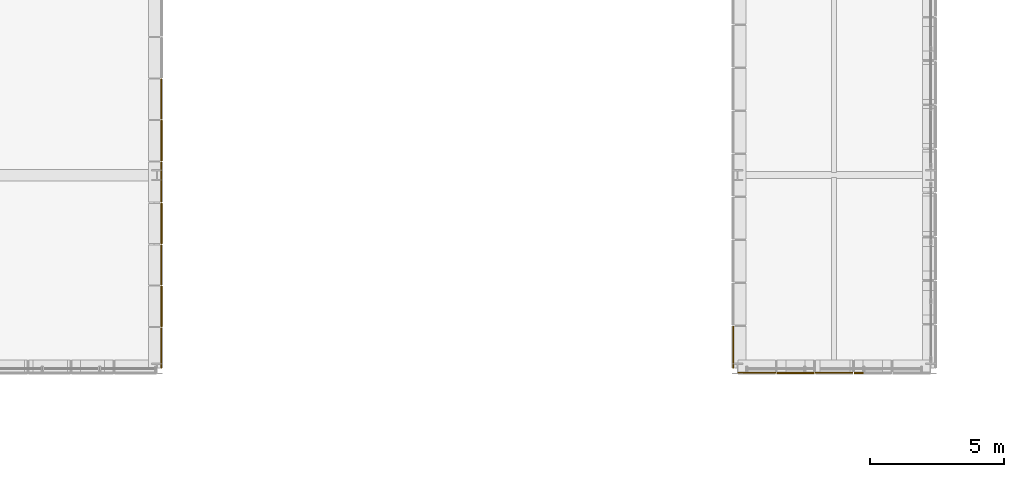
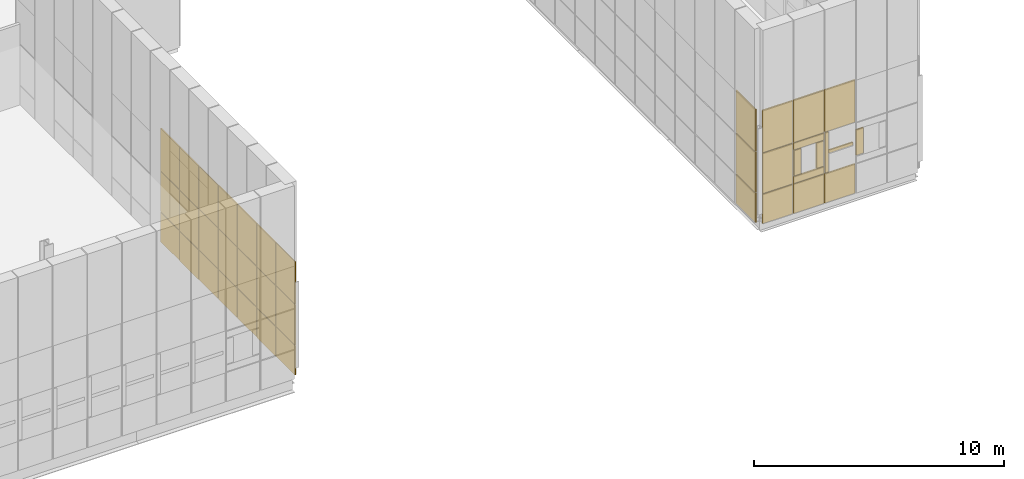
# One storey, part 126 of 144: 38 coverings.
"""IFC4 building model written with IfcOpenShell, lengths in metres."""

from ifc_helpers import new_model, si_unit, direction, frame, origin, origin_2d, place, context, subcontext, project, spatial, rectangle, extrude, material, layer, layer_set, type_object, element, save


model = new_model("IFC4")

# Units and contexts
model_context = context("Model", 3, precision=1e-05, world=origin(), true_north=direction((0.0, 1.0)))
body_context = subcontext(model_context, "Body", "Model", "MODEL_VIEW")
ifc_project = project(units=[si_unit("LENGTHUNIT", "METRE"), si_unit("AREAUNIT", "SQUARE_METRE"), si_unit("VOLUMEUNIT", "CUBIC_METRE"), si_unit("PLANEANGLEUNIT", "RADIAN"), si_unit("MASSUNIT", "GRAM", prefix="KILO")], contexts=[model_context])

# Site, building, storey
site_placement = place(None, origin())
site = spatial("IfcSite", under=ifc_project, at=site_placement, CompositionType="ELEMENT")
building_placement = place(site_placement, origin())
building = spatial("IfcBuilding", under=site, at=building_placement, Name="Yarey Park Central Fire Station", CompositionType="ELEMENT")
storey_placement = place(building_placement, frame((0.0, 0.0, 10.199951171875)))
storey = spatial("IfcBuildingStorey", under=building, at=storey_placement, Name="L03", CompositionType="ELEMENT", Elevation=10.199951171875)

# Coverings
ifc_material = material(Name="Perforated Powder-Coated Aluminium Cladding", Category="aluminium")
ifc_layer_1 = layer(ifc_material, 0.0419921875)
ifc_layer_set_1 = layer_set([ifc_layer_1], Name="Perforated Powder-Coated Aluminium Cladding")
covering_type_1 = type_object("IfcCoveringType", Name="ENV_COV_PERF_1", PredefinedType="CLADDING", material=ifc_layer_set_1)
covering_1_placement = place(storey_placement, frame((51.1201171875, 21.43994140625, -0.5048828125), z_axis=(0.0, 0.0, 1.0), x_axis=(1.0, 0.0, 0.0)))
element("IfcCovering", 1, at=covering_1_placement, inside=storey, type_object=covering_type_1, Name="PERF_L03_0265", PredefinedType="CLADDING", context=body_context, shape_type="SweptSolid", body=[
    extrude(rectangle(XDim=1.39990234375, YDim=0.0419921875, at=origin_2d()), origin(), (0.0, 0.0, 1.0), 1.43994140625),
])
covering_2_placement = place(storey_placement, frame((51.1201171875, 21.43994140625, 0.96484375), z_axis=(0.0, 0.0, 1.0), x_axis=(1.0, 0.0, 0.0)))
element("IfcCovering", 2, at=covering_2_placement, inside=storey, type_object=covering_type_1, Name="PERF_L03_0266", PredefinedType="CLADDING", context=body_context, shape_type="SweptSolid", body=[
    extrude(rectangle(XDim=1.39990234375, YDim=0.0419921875, at=origin_2d()), origin(), (0.0, 0.0, 1.0), 1.969970703125),
])
covering_3_placement = place(storey_placement, frame((51.1201171875, 21.43994140625, 2.96484375), z_axis=(0.0, 0.0, 1.0), x_axis=(1.0, 0.0, 0.0)))
element("IfcCovering", 3, at=covering_3_placement, inside=storey, type_object=covering_type_1, Name="PERF_L03_0267", PredefinedType="CLADDING", context=body_context, shape_type="SweptSolid", body=[
    extrude(rectangle(XDim=1.39990234375, YDim=0.0419921875, at=origin_2d()), origin(), (0.0, 0.0, 1.0), 2.070068359375),
])
covering_4_placement = place(storey_placement, frame((54.0, 21.43994140625, -0.5048828125), z_axis=(0.0, 0.0, 1.0), x_axis=(1.0, 0.0, 0.0)))
element("IfcCovering", 4, at=covering_4_placement, inside=storey, type_object=covering_type_1, Name="PERF_L03_0281", PredefinedType="CLADDING", context=body_context, shape_type="SweptSolid", body=[
    extrude(rectangle(XDim=1.39990234375, YDim=0.0419921875, at=origin_2d()), origin(), (0.0, 0.0, 1.0), 1.43994140625),
])
covering_5_placement = place(storey_placement, frame((53.389892578125, 21.43994140625, 0.96484375), z_axis=(0.0, 0.0, 1.0), x_axis=(1.0, 0.0, 0.0)))
element("IfcCovering", 5, at=covering_5_placement, inside=storey, type_object=covering_type_1, Name="PERF_L03_0282", PredefinedType="CLADDING", context=body_context, shape_type="SweptSolid", body=[
    extrude(rectangle(XDim=0.159912109375, YDim=0.0419921875, at=origin_2d()), origin(), (0.0, 0.0, 1.0), 1.969970703125),
])
covering_6_placement = place(storey_placement, frame((54.0, 21.43994140625, 1.8701171875), z_axis=(0.0, 0.0, 1.0), x_axis=(1.0, 0.0, 0.0)))
element("IfcCovering", 6, at=covering_6_placement, inside=storey, type_object=covering_type_1, Name="PERF_L03_0283", PredefinedType="CLADDING", context=body_context, shape_type="SweptSolid", body=[
    extrude(rectangle(XDim=1.199951171875, YDim=0.0419921875, at=origin_2d()), origin(), (0.0, 0.0, 1.0), 0.159912109375),
])
covering_7_placement = place(storey_placement, frame((54.0, 21.43994140625, 2.96484375), z_axis=(0.0, 0.0, 1.0), x_axis=(1.0, 0.0, 0.0)))
element("IfcCovering", 7, at=covering_7_placement, inside=storey, type_object=covering_type_1, Name="PERF_L03_0284", PredefinedType="CLADDING", context=body_context, shape_type="SweptSolid", body=[
    extrude(rectangle(XDim=1.39990234375, YDim=0.0419921875, at=origin_2d()), origin(), (0.0, 0.0, 1.0), 2.070068359375),
])
covering_8_placement = place(storey_placement, frame((28.9599609375, 22.371337890625, -0.5048828125), z_axis=(0.0, 0.0, 1.0), x_axis=(0.0, 1.0, 0.0)))
element("IfcCovering", 8, at=covering_8_placement, inside=storey, type_object=covering_type_1, Name="PERF_L03_0917", PredefinedType="CLADDING", context=body_context, shape_type="SweptSolid", body=[
    extrude(rectangle(XDim=1.5029296875, YDim=0.0419921875, at=origin_2d()), origin(), (0.0, 0.0, 1.0), 1.43994140625),
])
covering_9_placement = place(storey_placement, frame((28.9599609375, 22.371337890625, 0.96484375), z_axis=(0.0, 0.0, 1.0), x_axis=(0.0, 1.0, 0.0)))
element("IfcCovering", 9, at=covering_9_placement, inside=storey, type_object=covering_type_1, Name="PERF_L03_0918", PredefinedType="CLADDING", context=body_context, shape_type="SweptSolid", body=[
    extrude(rectangle(XDim=1.5029296875, YDim=0.0419921875, at=origin_2d()), origin(), (0.0, 0.0, 1.0), 1.969970703125),
])
covering_10_placement = place(storey_placement, frame((28.9599609375, 22.371337890625, 2.96484375), z_axis=(0.0, 0.0, 1.0), x_axis=(0.0, 1.0, 0.0)))
element("IfcCovering", 10, at=covering_10_placement, inside=storey, type_object=covering_type_1, Name="PERF_L03_0919", PredefinedType="CLADDING", context=body_context, shape_type="SweptSolid", body=[
    extrude(rectangle(XDim=1.5029296875, YDim=0.0419921875, at=origin_2d()), origin(), (0.0, 0.0, 1.0), 2.070068359375),
])
covering_11_placement = place(storey_placement, frame((28.9599609375, 25.45703125, -0.5048828125), z_axis=(0.0, 0.0, 1.0), x_axis=(0.0, 1.0, 0.0)))
element("IfcCovering", 11, at=covering_11_placement, inside=storey, type_object=covering_type_1, Name="PERF_L03_0927", PredefinedType="CLADDING", context=body_context, shape_type="SweptSolid", body=[
    extrude(rectangle(XDim=1.5029296875, YDim=0.0419921875, at=origin_2d()), origin(), (0.0, 0.0, 1.0), 1.43994140625),
])
covering_12_placement = place(storey_placement, frame((28.9599609375, 25.45703125, 0.96484375), z_axis=(0.0, 0.0, 1.0), x_axis=(0.0, 1.0, 0.0)))
element("IfcCovering", 12, at=covering_12_placement, inside=storey, type_object=covering_type_1, Name="PERF_L03_0928", PredefinedType="CLADDING", context=body_context, shape_type="SweptSolid", body=[
    extrude(rectangle(XDim=1.5029296875, YDim=0.0419921875, at=origin_2d()), origin(), (0.0, 0.0, 1.0), 1.969970703125),
])
covering_13_placement = place(storey_placement, frame((28.9599609375, 25.45703125, 2.96484375), z_axis=(0.0, 0.0, 1.0), x_axis=(0.0, 1.0, 0.0)))
element("IfcCovering", 13, at=covering_13_placement, inside=storey, type_object=covering_type_1, Name="PERF_L03_0929", PredefinedType="CLADDING", context=body_context, shape_type="SweptSolid", body=[
    extrude(rectangle(XDim=1.5029296875, YDim=0.0419921875, at=origin_2d()), origin(), (0.0, 0.0, 1.0), 2.070068359375),
])
covering_14_placement = place(storey_placement, frame((28.9599609375, 28.54296875, -0.5048828125), z_axis=(0.0, 0.0, 1.0), x_axis=(0.0, 1.0, 0.0)))
element("IfcCovering", 14, at=covering_14_placement, inside=storey, type_object=covering_type_1, Name="PERF_L03_0937", PredefinedType="CLADDING", context=body_context, shape_type="SweptSolid", body=[
    extrude(rectangle(XDim=1.5029296875, YDim=0.0419921875, at=origin_2d()), origin(), (0.0, 0.0, 1.0), 1.43994140625),
])
covering_15_placement = place(storey_placement, frame((28.9599609375, 28.54296875, 0.96484375), z_axis=(0.0, 0.0, 1.0), x_axis=(0.0, 1.0, 0.0)))
element("IfcCovering", 15, at=covering_15_placement, inside=storey, type_object=covering_type_1, Name="PERF_L03_0938", PredefinedType="CLADDING", context=body_context, shape_type="SweptSolid", body=[
    extrude(rectangle(XDim=1.5029296875, YDim=0.0419921875, at=origin_2d()), origin(), (0.0, 0.0, 1.0), 1.969970703125),
])
covering_16_placement = place(storey_placement, frame((28.9599609375, 28.54296875, 2.96484375), z_axis=(0.0, 0.0, 1.0), x_axis=(0.0, 1.0, 0.0)))
element("IfcCovering", 16, at=covering_16_placement, inside=storey, type_object=covering_type_1, Name="PERF_L03_0939", PredefinedType="CLADDING", context=body_context, shape_type="SweptSolid", body=[
    extrude(rectangle(XDim=1.5029296875, YDim=0.0419921875, at=origin_2d()), origin(), (0.0, 0.0, 1.0), 2.070068359375),
])
covering_17_placement = place(storey_placement, frame((28.9599609375, 31.628662109375, -0.5048828125), z_axis=(0.0, 0.0, 1.0), x_axis=(0.0, 1.0, 0.0)))
element("IfcCovering", 17, at=covering_17_placement, inside=storey, type_object=covering_type_1, Name="PERF_L03_0947", PredefinedType="CLADDING", context=body_context, shape_type="SweptSolid", body=[
    extrude(rectangle(XDim=1.5029296875, YDim=0.0419921875, at=origin_2d()), origin(), (0.0, 0.0, 1.0), 1.43994140625),
])
covering_18_placement = place(storey_placement, frame((28.9599609375, 31.628662109375, 0.96484375), z_axis=(0.0, 0.0, 1.0), x_axis=(0.0, 1.0, 0.0)))
element("IfcCovering", 18, at=covering_18_placement, inside=storey, type_object=covering_type_1, Name="PERF_L03_0948", PredefinedType="CLADDING", context=body_context, shape_type="SweptSolid", body=[
    extrude(rectangle(XDim=1.5029296875, YDim=0.0419921875, at=origin_2d()), origin(), (0.0, 0.0, 1.0), 1.969970703125),
])
covering_19_placement = place(storey_placement, frame((28.9599609375, 31.628662109375, 2.96484375), z_axis=(0.0, 0.0, 1.0), x_axis=(0.0, 1.0, 0.0)))
element("IfcCovering", 19, at=covering_19_placement, inside=storey, type_object=covering_type_1, Name="PERF_L03_0949", PredefinedType="CLADDING", context=body_context, shape_type="SweptSolid", body=[
    extrude(rectangle(XDim=1.5029296875, YDim=0.0419921875, at=origin_2d()), origin(), (0.0, 0.0, 1.0), 2.070068359375),
])
covering_20_placement = place(storey_placement, frame((50.239990234375, 22.39990234375, -0.5048828125), z_axis=(0.0, 0.0, 1.0), x_axis=(0.0, 1.0, 0.0)))
element("IfcCovering", 20, at=covering_20_placement, inside=storey, type_object=covering_type_1, Name="PERF_L03_0987", PredefinedType="CLADDING", context=body_context, shape_type="SweptSolid", body=[
    extrude(rectangle(XDim=1.56005859375, YDim=0.0419921875, at=origin_2d()), origin(), (0.0, 0.0, 1.0), 1.43994140625),
])
covering_21_placement = place(storey_placement, frame((50.239990234375, 22.39990234375, 0.96484375), z_axis=(0.0, 0.0, 1.0), x_axis=(0.0, 1.0, 0.0)))
element("IfcCovering", 21, at=covering_21_placement, inside=storey, type_object=covering_type_1, Name="PERF_L03_0988", PredefinedType="CLADDING", context=body_context, shape_type="SweptSolid", body=[
    extrude(rectangle(XDim=1.56005859375, YDim=0.0419921875, at=origin_2d()), origin(), (0.0, 0.0, 1.0), 1.969970703125),
])
covering_22_placement = place(storey_placement, frame((50.239990234375, 22.39990234375, 2.96484375), z_axis=(0.0, 0.0, 1.0), x_axis=(0.0, 1.0, 0.0)))
element("IfcCovering", 22, at=covering_22_placement, inside=storey, type_object=covering_type_1, Name="PERF_L03_0989", PredefinedType="CLADDING", context=body_context, shape_type="SweptSolid", body=[
    extrude(rectangle(XDim=1.56005859375, YDim=0.0419921875, at=origin_2d()), origin(), (0.0, 0.0, 1.0), 2.070068359375),
])
ifc_layer_2 = layer(ifc_material, 0.053955078125)
ifc_layer_set_2 = layer_set([ifc_layer_2], Name="Perforated Powder-Coated Aluminium Cladding")
covering_type_2 = type_object("IfcCoveringType", Name="ENV_COV_PERF_2", PredefinedType="CLADDING", material=ifc_layer_set_2)
covering_23_placement = place(storey_placement, frame((52.56005859375, 21.43994140625, -0.5048828125), z_axis=(0.0, 0.0, 1.0), x_axis=(1.0, 0.0, 0.0)))
element("IfcCovering", 23, at=covering_23_placement, inside=storey, type_object=covering_type_2, Name="PERF_L03_0270", PredefinedType="CLADDING", context=body_context, shape_type="SweptSolid", body=[
    extrude(rectangle(XDim=1.39990234375, YDim=0.053955078125, at=origin_2d()), origin(), (0.0, 0.0, 1.0), 1.43994140625),
])
for number, where, z_axis, x_axis, name in (
    (24, (52.56005859375, 21.43994140625, 0.9599609375), (0.0, 0.0, 1.0), (1.0, 0.0, 0.0), "PERF_L03_0271"),
    (25, (52.56005859375, 21.43994140625, 2.60009765625), (0.0, 0.0, 1.0), (1.0, 0.0, 0.0), "PERF_L03_0272"),
):
    element("IfcCovering", number, at=place(storey_placement, frame(where, z_axis=z_axis, x_axis=x_axis)), inside=storey, type_object=covering_type_2, Name=name, PredefinedType="CLADDING", context=body_context, shape_type="SweptSolid", body=[
        extrude(rectangle(XDim=1.39990234375, YDim=0.053955078125, at=origin_2d()), origin(), (0.0, 0.0, 1.0), 0.340087890625),
    ])
for number, where, z_axis, x_axis, name in (
    (26, (52.0400390625, 21.43994140625, 1.324951171875), (0.0, 0.0, 1.0), (1.0, 0.0, 0.0), "PERF_L03_0273"),
    (27, (53.080078125, 21.43994140625, 1.324951171875), (0.0, 0.0, 1.0), (1.0, 0.0, 0.0), "PERF_L03_0274"),
):
    element("IfcCovering", number, at=place(storey_placement, frame(where, z_axis=z_axis, x_axis=x_axis)), inside=storey, type_object=covering_type_2, Name=name, PredefinedType="CLADDING", context=body_context, shape_type="SweptSolid", body=[
        extrude(rectangle(XDim=0.340087890625, YDim=0.053955078125, at=origin_2d()), origin(), (0.0, 0.0, 1.0), 1.25),
    ])
covering_24_placement = place(storey_placement, frame((52.56005859375, 21.43994140625, 2.96484375), z_axis=(0.0, 0.0, 1.0), x_axis=(1.0, 0.0, 0.0)))
element("IfcCovering", 28, at=covering_24_placement, inside=storey, type_object=covering_type_2, Name="PERF_L03_0275", PredefinedType="CLADDING", context=body_context, shape_type="SweptSolid", body=[
    extrude(rectangle(XDim=1.39990234375, YDim=0.053955078125, at=origin_2d()), origin(), (0.0, 0.0, 1.0), 2.070068359375),
])
covering_25_placement = place(storey_placement, frame((54.919921875, 21.43994140625, 1.324951171875), z_axis=(0.0, 0.0, 1.0), x_axis=(1.0, 0.0, 0.0)))
element("IfcCovering", 29, at=covering_25_placement, inside=storey, type_object=covering_type_2, Name="PERF_L03_0291", PredefinedType="CLADDING", context=body_context, shape_type="SweptSolid", body=[
    extrude(rectangle(XDim=0.340087890625, YDim=0.053955078125, at=origin_2d()), origin(), (0.0, 0.0, 1.0), 1.25),
])
covering_26_placement = place(storey_placement, frame((28.9599609375, 23.914306640625, -0.5048828125), z_axis=(0.0, 0.0, 1.0), x_axis=(0.0, 1.0, 0.0)))
element("IfcCovering", 30, at=covering_26_placement, inside=storey, type_object=covering_type_2, Name="PERF_L03_0922", PredefinedType="CLADDING", context=body_context, shape_type="SweptSolid", body=[
    extrude(rectangle(XDim=1.5029296875, YDim=0.053955078125, at=origin_2d()), origin(), (0.0, 0.0, 1.0), 1.43994140625),
])
covering_27_placement = place(storey_placement, frame((28.9599609375, 23.914306640625, 0.96484375), z_axis=(0.0, 0.0, 1.0), x_axis=(0.0, 1.0, 0.0)))
element("IfcCovering", 31, at=covering_27_placement, inside=storey, type_object=covering_type_2, Name="PERF_L03_0923", PredefinedType="CLADDING", context=body_context, shape_type="SweptSolid", body=[
    extrude(rectangle(XDim=1.5029296875, YDim=0.053955078125, at=origin_2d()), origin(), (0.0, 0.0, 1.0), 1.969970703125),
])
covering_28_placement = place(storey_placement, frame((28.9599609375, 23.914306640625, 2.96484375), z_axis=(0.0, 0.0, 1.0), x_axis=(0.0, 1.0, 0.0)))
element("IfcCovering", 32, at=covering_28_placement, inside=storey, type_object=covering_type_2, Name="PERF_L03_0924", PredefinedType="CLADDING", context=body_context, shape_type="SweptSolid", body=[
    extrude(rectangle(XDim=1.5029296875, YDim=0.053955078125, at=origin_2d()), origin(), (0.0, 0.0, 1.0), 2.070068359375),
])
covering_29_placement = place(storey_placement, frame((28.9599609375, 27.0, -0.5048828125), z_axis=(0.0, 0.0, 1.0), x_axis=(0.0, 1.0, 0.0)))
element("IfcCovering", 33, at=covering_29_placement, inside=storey, type_object=covering_type_2, Name="PERF_L03_0932", PredefinedType="CLADDING", context=body_context, shape_type="SweptSolid", body=[
    extrude(rectangle(XDim=1.5029296875, YDim=0.053955078125, at=origin_2d()), origin(), (0.0, 0.0, 1.0), 1.43994140625),
])
covering_30_placement = place(storey_placement, frame((28.9599609375, 27.0, 0.96484375), z_axis=(0.0, 0.0, 1.0), x_axis=(0.0, 1.0, 0.0)))
element("IfcCovering", 34, at=covering_30_placement, inside=storey, type_object=covering_type_2, Name="PERF_L03_0933", PredefinedType="CLADDING", context=body_context, shape_type="SweptSolid", body=[
    extrude(rectangle(XDim=1.5029296875, YDim=0.053955078125, at=origin_2d()), origin(), (0.0, 0.0, 1.0), 1.969970703125),
])
covering_31_placement = place(storey_placement, frame((28.9599609375, 27.0, 2.96484375), z_axis=(0.0, 0.0, 1.0), x_axis=(0.0, 1.0, 0.0)))
element("IfcCovering", 35, at=covering_31_placement, inside=storey, type_object=covering_type_2, Name="PERF_L03_0934", PredefinedType="CLADDING", context=body_context, shape_type="SweptSolid", body=[
    extrude(rectangle(XDim=1.5029296875, YDim=0.053955078125, at=origin_2d()), origin(), (0.0, 0.0, 1.0), 2.070068359375),
])
covering_32_placement = place(storey_placement, frame((28.9599609375, 30.085693359375, -0.5048828125), z_axis=(0.0, 0.0, 1.0), x_axis=(0.0, 1.0, 0.0)))
element("IfcCovering", 36, at=covering_32_placement, inside=storey, type_object=covering_type_2, Name="PERF_L03_0942", PredefinedType="CLADDING", context=body_context, shape_type="SweptSolid", body=[
    extrude(rectangle(XDim=1.5029296875, YDim=0.053955078125, at=origin_2d()), origin(), (0.0, 0.0, 1.0), 1.43994140625),
])
covering_33_placement = place(storey_placement, frame((28.9599609375, 30.085693359375, 0.96484375), z_axis=(0.0, 0.0, 1.0), x_axis=(0.0, 1.0, 0.0)))
element("IfcCovering", 37, at=covering_33_placement, inside=storey, type_object=covering_type_2, Name="PERF_L03_0943", PredefinedType="CLADDING", context=body_context, shape_type="SweptSolid", body=[
    extrude(rectangle(XDim=1.5029296875, YDim=0.053955078125, at=origin_2d()), origin(), (0.0, 0.0, 1.0), 1.969970703125),
])
covering_34_placement = place(storey_placement, frame((28.9599609375, 30.085693359375, 2.96484375), z_axis=(0.0, 0.0, 1.0), x_axis=(0.0, 1.0, 0.0)))
element("IfcCovering", 38, at=covering_34_placement, inside=storey, type_object=covering_type_2, Name="PERF_L03_0944", PredefinedType="CLADDING", context=body_context, shape_type="SweptSolid", body=[
    extrude(rectangle(XDim=1.5029296875, YDim=0.053955078125, at=origin_2d()), origin(), (0.0, 0.0, 1.0), 2.070068359375),
])

save(model, "model.ifc")
